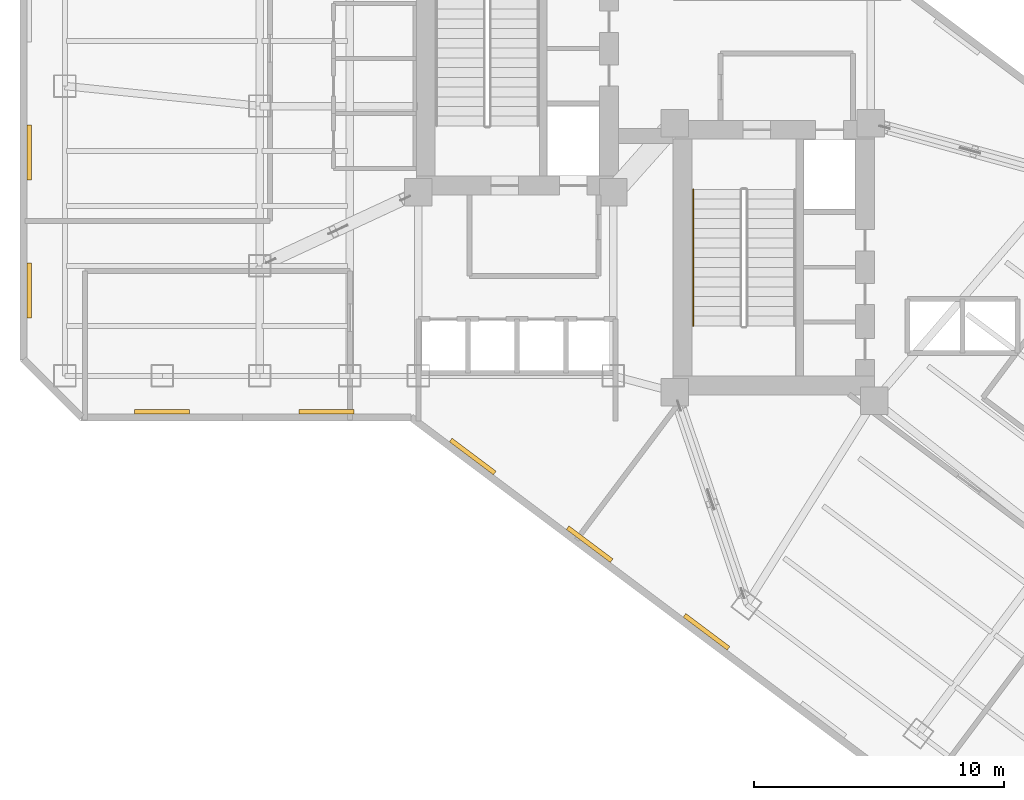
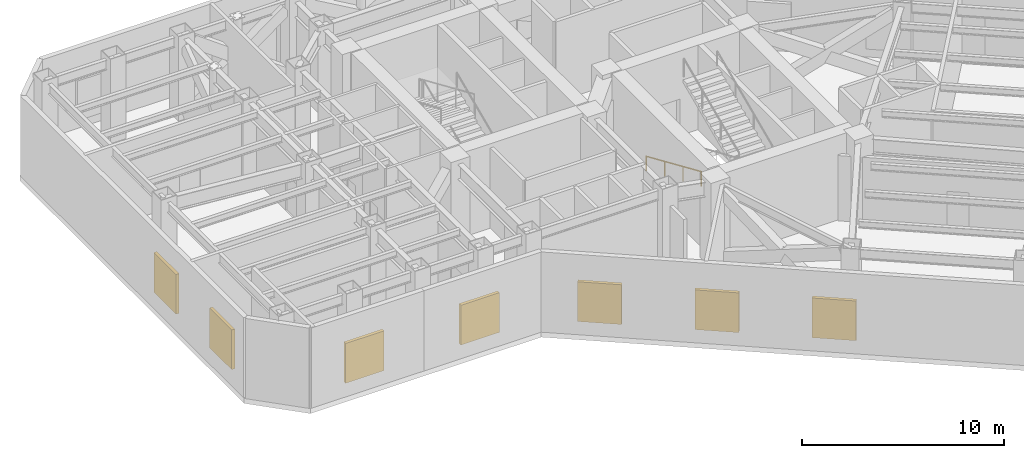
# One storey, part 11 of 14: 7 shading devices, 1 railing.
"""IFC4 building model written with IfcOpenShell, lengths in metres."""

from ifc_helpers import new_model, si_unit, direction, frame, origin, origin_2d, place, context, subcontext, project, spatial, rectangle, circle, extrude, material, layer, layer_set, type_object, element, save


model = new_model("IFC4")

# Units and contexts
model_context = context("Model", 3, precision=1e-05, world=origin(), true_north=direction((0.0, 1.0)))
body_context = subcontext(model_context, "Body", "Model", "MODEL_VIEW")
ifc_project = project(units=[si_unit("LENGTHUNIT", "METRE"), si_unit("AREAUNIT", "SQUARE_METRE"), si_unit("VOLUMEUNIT", "CUBIC_METRE"), si_unit("PLANEANGLEUNIT", "RADIAN"), si_unit("MASSUNIT", "GRAM", prefix="KILO")], contexts=[model_context])

# Site, building, storey
site_placement = place(None, origin())
site = spatial("IfcSite", under=ifc_project, at=site_placement, CompositionType="ELEMENT")
building_placement = place(site_placement, origin())
building = spatial("IfcBuilding", under=site, at=building_placement, Name="Hatsunagi Terrace Concourse", CompositionType="ELEMENT")
storey_placement = place(building_placement, frame((0.0, 0.0, 91.35009765625)))
storey = spatial("IfcBuildingStorey", under=building, at=storey_placement, Name="L24", CompositionType="ELEMENT", Elevation=91.35009765625)

# Shading devices
ifc_material_1 = material(Name="Powder-Coated Aluminium Acoustic Louvre", Category="aluminium")
ifc_layer_1 = layer(ifc_material_1, 0.179931640625)
ifc_layer_set_1 = layer_set([ifc_layer_1], Name="PlantAcousticLouvre_180")
shading_device_type = type_object("IfcShadingDeviceType", Name="PlantAcousticLouvre_180", PredefinedType="JALOUSIE", material=ifc_layer_set_1)
for number, where, z_axis, x_axis, name in (
    (1, (37.0810546875, 14.951904296875, 0.599853515625), (0.0, 0.0, 1.0), (-0.800003116929, 0.599995844072, 0.0), "Plant Acoustic Louvre L24-05-4"),
    (2, (32.403076171875, 18.4609375, 0.599853515625), (0.0, 0.0, 1.0), (-0.800003116929, 0.599995844072, 0.0), "Plant Acoustic Louvre L24-05-5"),
    (3, (27.72412109375, 21.969970703125, 0.599853515625), (0.0, 0.0, 1.0), (-0.800003116929, 0.599995844072, 0.0), "Plant Acoustic Louvre L24-05-6"),
    (4, (21.873046875, 23.77001953125, 0.599853515625), (0.0, 0.0, 1.0), (-1.0, 0.0, 0.0), "Plant Acoustic Louvre L24-06-1"),
    (5, (15.279052734375, 23.77001953125, 0.599853515625), (0.0, 0.0, 1.0), (-1.0, 0.0, 0.0), "Plant Acoustic Louvre L24-07-1"),
    (6, (9.969970703125, 28.618896484375, 0.599853515625), (0.0, 0.0, 1.0), (0.0, 1.0, 0.0), "Plant Acoustic Louvre L24-09-1"),
    (7, (9.969970703125, 34.138916015625, 0.599853515625), (0.0, 0.0, 1.0), (0.0, 1.0, 0.0), "Plant Acoustic Louvre L24-09-2"),
):
    element("IfcShadingDevice", number, at=place(storey_placement, frame(where, z_axis=z_axis, x_axis=x_axis)), inside=storey, type_object=shading_device_type, Name=name, PredefinedType="JALOUSIE", context=body_context, shape_type="SweptSolid", body=[
        extrude(rectangle(XDim=2.199951171875, YDim=0.179931640625, at=origin_2d()), origin(), (0.0, 0.0, 1.0), 2.39990234375),
    ])

# Railing
ifc_material_2 = material(Name="Stainless steel", Category="steel")
ifc_layer_2 = layer(ifc_material_2, 0.044921875)
ifc_layer_set_2 = layer_set([ifc_layer_2], Name="StairPitchHandrail_Tower2000")
railing_type = type_object("IfcRailingType", Name="StairPitchHandrail_Tower2000", PredefinedType="HANDRAIL", material=ifc_layer_set_2)
railing_placement = place(storey_placement, frame((36.550048828125, 32.659912109375, 0.169921875)))
element("IfcRailing", 8, at=railing_placement, inside=storey, type_object=railing_type, Name="L24 ST-B stair handrail 1", PredefinedType="HANDRAIL", context=body_context, shape_type="SweptSolid", body=[
    extrude(circle(Radius=0.02392578125, at=origin_2d()), frame((0.0, 0.0, 0.8759765625), z_axis=(0.0, -0.916702124435, 0.39957128908), x_axis=(1.0, 0.0, 0.0)), (0.0, 0.0, 1.0), 5.9560546875),
    extrude(circle(Radius=0.02099609375, at=origin_2d()), origin(), (0.0, 0.0, 1.0), 0.851806640625),
    extrude(circle(Radius=0.02099609375, at=origin_2d()), frame((0.0, -1.820068359375, 0.793212890625)), (0.0, 0.0, 1.0), 0.851806640625),
    extrude(circle(Radius=0.02099609375, at=origin_2d()), frame((0.0, -3.639892578125, 1.586669921875)), (0.0, 0.0, 1.0), 0.851806640625),
    extrude(circle(Radius=0.02099609375, at=origin_2d()), frame((0.0, -5.4599609375, 2.3798828125)), (0.0, 0.0, 1.0), 0.851806640625),
])

save(model, "model.ifc")
